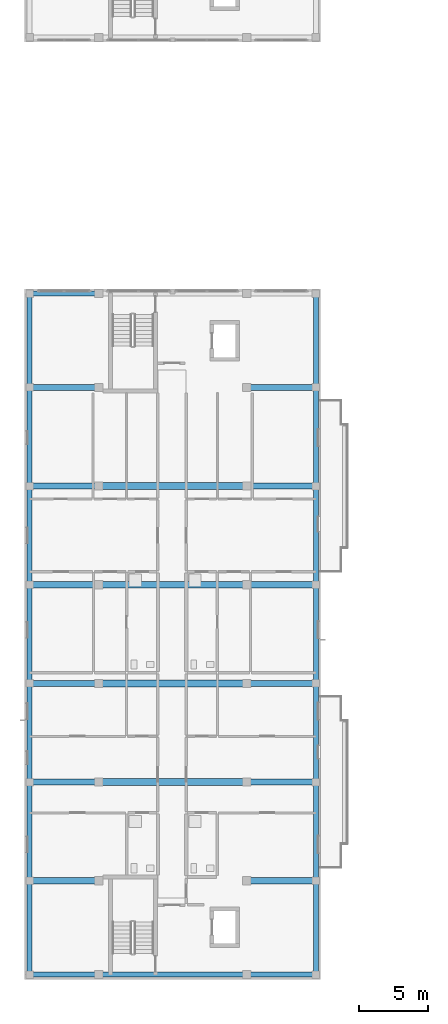
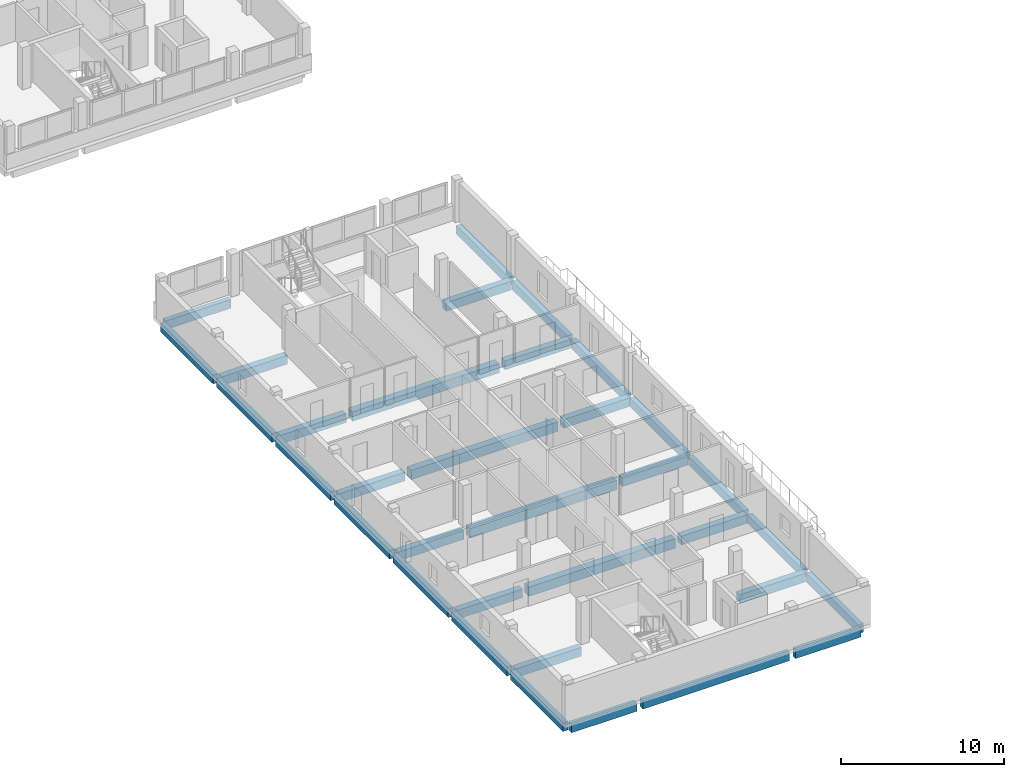
# One storey, part 3 of 41: 34 beams.
"""IFC4 building model written with IfcOpenShell, lengths in metres."""

from ifc_helpers import new_model, si_unit, derived_unit, direction, frame, origin, origin_2d, place, context, subcontext, project, spatial, rectangle, extrude, material, material_profile, profile_set, type_object, element, save


model = new_model("IFC4")

# Units and contexts
model_context = context("Model", 3, precision=1e-05, world=origin(), true_north=direction((0.0, 1.0)))
body_context = subcontext(model_context, "Body", "Model", "MODEL_VIEW")
ifc_project = project(units=[si_unit("LENGTHUNIT", "METRE"), si_unit("AREAUNIT", "SQUARE_METRE"), si_unit("VOLUMEUNIT", "CUBIC_METRE"), si_unit("PLANEANGLEUNIT", "RADIAN"), si_unit("MASSUNIT", "GRAM", prefix="KILO"), derived_unit("THERMALTRANSMITTANCEUNIT", [(si_unit("MASSUNIT", "GRAM", prefix="KILO"), 1), (si_unit("TIMEUNIT", "SECOND"), -3), (si_unit("THERMODYNAMICTEMPERATUREUNIT", "KELVIN"), -1)])], contexts=[model_context])

# Site, building, storey
site_placement = place(None, origin())
site = spatial("IfcSite", under=ifc_project, at=site_placement, CompositionType="ELEMENT")
building_placement = place(site_placement, origin())
building = spatial("IfcBuilding", under=site, at=building_placement, Name="Ochrekiln Boulevard Commons", CompositionType="ELEMENT")
storey_placement = place(building_placement, frame((0.0, 0.0, 21.52490234375)))
storey = spatial("IfcBuildingStorey", under=building, at=storey_placement, Name="L06", CompositionType="ELEMENT", Elevation=21.52490234375)

# Beams
ifc_material_1 = material(Name="Concrete C35/45", Category="concrete")
ifc_material_profile_1 = material_profile(ifc_material_1, rectangle(XDim=0.449951171875, YDim=0.64990234375, at=origin_2d()), Name="RC-BM-450x650")
ifc_profile_set_1 = profile_set([ifc_material_profile_1], Name="Concrete C35/45")
beam_type_1 = type_object("IfcBeamType", Name="BM-RC-450x650", PredefinedType="BEAM", material=ifc_profile_set_1)
beam_1_placement = place(storey_placement, frame((0.56005859375, 7.199951171875, -0.5849609375), z_axis=(1.0, 0.0, 0.0), x_axis=(0.0, 1.0, 0.0)))
element("IfcBeam", 1, at=beam_1_placement, inside=storey, type_object=beam_type_1, Name="Block D L06 Beam B-4565 X4", PredefinedType="BEAM", context=body_context, shape_type="SweptSolid", body=[
    extrude(rectangle(XDim=0.449951171875, YDim=0.64990234375, at=origin_2d()), origin(), (0.0, 0.0, 1.0), 4.6298828125),
])
beam_2_placement = place(storey_placement, frame((16.409912109375, 7.199951171875, -0.5849609375), z_axis=(1.0, 0.0, 0.0), x_axis=(0.0, 1.0, 0.0)))
element("IfcBeam", 2, at=beam_2_placement, inside=storey, type_object=beam_type_1, Name="Block D L06 Beam B-4565 X5", PredefinedType="BEAM", context=body_context, shape_type="SweptSolid", body=[
    extrude(rectangle(XDim=0.449951171875, YDim=0.64990234375, at=origin_2d()), origin(), (0.0, 0.0, 1.0), 4.630126953125),
])
beam_3_placement = place(storey_placement, frame((0.56005859375, 14.39990234375, -0.5849609375), z_axis=(1.0, 0.0, 0.0), x_axis=(0.0, 1.0, 0.0)))
element("IfcBeam", 3, at=beam_3_placement, inside=storey, type_object=beam_type_1, Name="Block D L06 Beam B-4565 X6", PredefinedType="BEAM", context=body_context, shape_type="SweptSolid", body=[
    extrude(rectangle(XDim=0.449951171875, YDim=0.64990234375, at=origin_2d()), origin(), (0.0, 0.0, 1.0), 4.6298828125),
])
beam_4_placement = place(storey_placement, frame((16.409912109375, 14.39990234375, -0.5849609375), z_axis=(1.0, 0.0, 0.0), x_axis=(0.0, 1.0, 0.0)))
element("IfcBeam", 4, at=beam_4_placement, inside=storey, type_object=beam_type_1, Name="Block D L06 Beam B-4565 X8", PredefinedType="BEAM", context=body_context, shape_type="SweptSolid", body=[
    extrude(rectangle(XDim=0.449951171875, YDim=0.64990234375, at=origin_2d()), origin(), (0.0, 0.0, 1.0), 4.630126953125),
])
beam_5_placement = place(storey_placement, frame((0.56005859375, 21.60009765625, -0.5849609375), z_axis=(1.0, 0.0, 0.0), x_axis=(0.0, 1.0, 0.0)))
element("IfcBeam", 5, at=beam_5_placement, inside=storey, type_object=beam_type_1, Name="Block D L06 Beam B-4565 X9", PredefinedType="BEAM", context=body_context, shape_type="SweptSolid", body=[
    extrude(rectangle(XDim=0.449951171875, YDim=0.64990234375, at=origin_2d()), origin(), (0.0, 0.0, 1.0), 4.6298828125),
])
beam_6_placement = place(storey_placement, frame((16.409912109375, 21.60009765625, -0.5849609375), z_axis=(1.0, 0.0, 0.0), x_axis=(0.0, 1.0, 0.0)))
element("IfcBeam", 6, at=beam_6_placement, inside=storey, type_object=beam_type_1, Name="Block D L06 Beam B-4565 X11", PredefinedType="BEAM", context=body_context, shape_type="SweptSolid", body=[
    extrude(rectangle(XDim=0.449951171875, YDim=0.64990234375, at=origin_2d()), origin(), (0.0, 0.0, 1.0), 4.630126953125),
])
beam_7_placement = place(storey_placement, frame((0.56005859375, 28.800048828125, -0.5849609375), z_axis=(1.0, 0.0, 0.0), x_axis=(0.0, 1.0, 0.0)))
element("IfcBeam", 7, at=beam_7_placement, inside=storey, type_object=beam_type_1, Name="Block D L06 Beam B-4565 X12", PredefinedType="BEAM", context=body_context, shape_type="SweptSolid", body=[
    extrude(rectangle(XDim=0.449951171875, YDim=0.64990234375, at=origin_2d()), origin(), (0.0, 0.0, 1.0), 4.6298828125),
])
beam_8_placement = place(storey_placement, frame((16.409912109375, 28.800048828125, -0.5849609375), z_axis=(1.0, 0.0, 0.0), x_axis=(0.0, 1.0, 0.0)))
element("IfcBeam", 8, at=beam_8_placement, inside=storey, type_object=beam_type_1, Name="Block D L06 Beam B-4565 X14", PredefinedType="BEAM", context=body_context, shape_type="SweptSolid", body=[
    extrude(rectangle(XDim=0.449951171875, YDim=0.64990234375, at=origin_2d()), origin(), (0.0, 0.0, 1.0), 4.630126953125),
])
beam_9_placement = place(storey_placement, frame((0.56005859375, 36.0, -0.5849609375), z_axis=(1.0, 0.0, 0.0), x_axis=(0.0, 1.0, 0.0)))
element("IfcBeam", 9, at=beam_9_placement, inside=storey, type_object=beam_type_1, Name="Block D L06 Beam B-4565 X15", PredefinedType="BEAM", context=body_context, shape_type="SweptSolid", body=[
    extrude(rectangle(XDim=0.449951171875, YDim=0.64990234375, at=origin_2d()), origin(), (0.0, 0.0, 1.0), 4.6298828125),
])
beam_10_placement = place(storey_placement, frame((16.409912109375, 36.0, -0.5849609375), z_axis=(1.0, 0.0, 0.0), x_axis=(0.0, 1.0, 0.0)))
element("IfcBeam", 10, at=beam_10_placement, inside=storey, type_object=beam_type_1, Name="Block D L06 Beam B-4565 X17", PredefinedType="BEAM", context=body_context, shape_type="SweptSolid", body=[
    extrude(rectangle(XDim=0.449951171875, YDim=0.64990234375, at=origin_2d()), origin(), (0.0, 0.0, 1.0), 4.630126953125),
])
beam_11_placement = place(storey_placement, frame((0.56005859375, 43.199951171875, -0.5849609375), z_axis=(1.0, 0.0, 0.0), x_axis=(0.0, 1.0, 0.0)))
element("IfcBeam", 11, at=beam_11_placement, inside=storey, type_object=beam_type_1, Name="Block D L06 Beam B-4565 X18", PredefinedType="BEAM", context=body_context, shape_type="SweptSolid", body=[
    extrude(rectangle(XDim=0.449951171875, YDim=0.64990234375, at=origin_2d()), origin(), (0.0, 0.0, 1.0), 4.6298828125),
])
beam_12_placement = place(storey_placement, frame((16.409912109375, 43.199951171875, -0.5849609375), z_axis=(1.0, 0.0, 0.0), x_axis=(0.0, 1.0, 0.0)))
element("IfcBeam", 12, at=beam_12_placement, inside=storey, type_object=beam_type_1, Name="Block D L06 Beam B-4565 X19", PredefinedType="BEAM", context=body_context, shape_type="SweptSolid", body=[
    extrude(rectangle(XDim=0.449951171875, YDim=0.64990234375, at=origin_2d()), origin(), (0.0, 0.0, 1.0), 4.630126953125),
])
ifc_material_2 = material(Name="Concrete C40/50", Category="concrete")
ifc_material_profile_2 = material_profile(ifc_material_2, rectangle(XDim=0.5, YDim=0.699951171875, at=origin_2d()), Name="RC-BM-500x700")
ifc_profile_set_2 = profile_set([ifc_material_profile_2], Name="Concrete C40/50")
beam_type_2 = type_object("IfcBeamType", Name="BM-RC-500x700", PredefinedType="BEAM", material=ifc_profile_set_2)
for number, where, z_axis, x_axis, name in (
    (13, (5.610107421875, 14.39990234375, -0.60986328125), (1.0, 0.0, 0.0), (0.0, 1.0, 0.0), "Block D L06 Beam B-5070 X7"),
    (14, (5.610107421875, 21.60009765625, -0.60986328125), (1.0, 0.0, 0.0), (0.0, 1.0, 0.0), "Block D L06 Beam B-5070 X10"),
    (15, (5.610107421875, 28.800048828125, -0.60986328125), (1.0, 0.0, 0.0), (0.0, 1.0, 0.0), "Block D L06 Beam B-5070 X13"),
    (16, (5.610107421875, 36.0, -0.60986328125), (1.0, 0.0, 0.0), (0.0, 1.0, 0.0), "Block D L06 Beam B-5070 X16"),
):
    element("IfcBeam", number, at=place(storey_placement, frame(where, z_axis=z_axis, x_axis=x_axis)), inside=storey, type_object=beam_type_2, Name=name, PredefinedType="BEAM", context=body_context, shape_type="SweptSolid", body=[
        extrude(rectangle(XDim=0.5, YDim=0.699951171875, at=origin_2d()), origin(), (0.0, 0.0, 1.0), 10.3798828125),
    ])
ifc_material_profile_3 = material_profile(ifc_material_2, rectangle(XDim=0.35009765625, YDim=0.64990234375, at=origin_2d()), Name="RC-SPN-350x650")
ifc_profile_set_3 = profile_set([ifc_material_profile_3], Name="Concrete C40/50")
beam_type_3 = type_object("IfcBeamType", Name="SPN-RC-350x650", PredefinedType="SPANDREL", material=ifc_profile_set_3)
beam_13_placement = place(storey_placement, frame((0.56005859375, 0.35009765625, -0.5849609375), z_axis=(1.0, 0.0, 0.0), x_axis=(0.0, 1.0, 0.0)))
element("IfcBeam", 17, at=beam_13_placement, inside=storey, type_object=beam_type_3, Name="Block D L06 Beam SP-3565 X1", PredefinedType="SPANDREL", context=body_context, shape_type="SweptSolid", body=[
    extrude(rectangle(XDim=0.35009765625, YDim=0.64990234375, at=origin_2d()), origin(), (0.0, 0.0, 1.0), 4.6298828125),
])
beam_14_placement = place(storey_placement, frame((5.610107421875, 0.35009765625, -0.5849609375), z_axis=(1.0, 0.0, 0.0), x_axis=(0.0, 1.0, 0.0)))
element("IfcBeam", 18, at=beam_14_placement, inside=storey, type_object=beam_type_3, Name="Block D L06 Beam SP-3565 X2", PredefinedType="SPANDREL", context=body_context, shape_type="SweptSolid", body=[
    extrude(rectangle(XDim=0.35009765625, YDim=0.64990234375, at=origin_2d()), origin(), (0.0, 0.0, 1.0), 10.3798828125),
])
beam_15_placement = place(storey_placement, frame((16.409912109375, 0.35009765625, -0.5849609375), z_axis=(1.0, 0.0, 0.0), x_axis=(0.0, 1.0, 0.0)))
element("IfcBeam", 19, at=beam_15_placement, inside=storey, type_object=beam_type_3, Name="Block D L06 Beam SP-3565 X3", PredefinedType="SPANDREL", context=body_context, shape_type="SweptSolid", body=[
    extrude(rectangle(XDim=0.35009765625, YDim=0.64990234375, at=origin_2d()), origin(), (0.0, 0.0, 1.0), 4.630126953125),
])
beam_16_placement = place(storey_placement, frame((0.56005859375, 50.050048828125, -0.5849609375), z_axis=(1.0, 0.0, 0.0), x_axis=(0.0, 1.0, 0.0)))
element("IfcBeam", 20, at=beam_16_placement, inside=storey, type_object=beam_type_3, Name="Block D L06 Beam SP-3565 X20", PredefinedType="SPANDREL", context=body_context, shape_type="SweptSolid", body=[
    extrude(rectangle(XDim=0.35009765625, YDim=0.64990234375, at=origin_2d()), origin(), (0.0, 0.0, 1.0), 4.6298828125),
])
beam_17_placement = place(storey_placement, frame((0.35009765625, 0.56005859375, -0.5849609375), z_axis=(0.0, 1.0, 0.0), x_axis=(-1.0, 0.0, 0.0)))
element("IfcBeam", 21, at=beam_17_placement, inside=storey, type_object=beam_type_3, Name="Block D L06 Beam SP-3565 Y23", PredefinedType="SPANDREL", context=body_context, shape_type="SweptSolid", body=[
    extrude(rectangle(XDim=0.35009765625, YDim=0.64990234375, at=origin_2d()), origin(), (0.0, 0.0, 1.0), 6.429931640625),
])
beam_18_placement = place(storey_placement, frame((0.35009765625, 7.409912109375, -0.5849609375), z_axis=(0.0, 1.0, 0.0), x_axis=(-1.0, 0.0, 0.0)))
element("IfcBeam", 22, at=beam_18_placement, inside=storey, type_object=beam_type_3, Name="Block D L06 Beam SP-3565 Y24", PredefinedType="SPANDREL", context=body_context, shape_type="SweptSolid", body=[
    extrude(rectangle(XDim=0.35009765625, YDim=0.64990234375, at=origin_2d()), origin(), (0.0, 0.0, 1.0), 6.780029296875),
])
beam_19_placement = place(storey_placement, frame((0.35009765625, 14.610107421875, -0.5849609375), z_axis=(0.0, 1.0, 0.0), x_axis=(-1.0, 0.0, 0.0)))
element("IfcBeam", 23, at=beam_19_placement, inside=storey, type_object=beam_type_3, Name="Block D L06 Beam SP-3565 Y25", PredefinedType="SPANDREL", context=body_context, shape_type="SweptSolid", body=[
    extrude(rectangle(XDim=0.35009765625, YDim=0.64990234375, at=origin_2d()), origin(), (0.0, 0.0, 1.0), 6.77978515625),
])
for number, where, z_axis, x_axis, name in (
    (24, (0.35009765625, 21.81005859375, -0.5849609375), (0.0, 1.0, 0.0), (-1.0, 0.0, 0.0), "Block D L06 Beam SP-3565 Y26"),
    (25, (0.35009765625, 29.010009765625, -0.5849609375), (0.0, 1.0, 0.0), (-1.0, 0.0, 0.0), "Block D L06 Beam SP-3565 Y27"),
    (26, (0.35009765625, 36.2099609375, -0.5849609375), (0.0, 1.0, 0.0), (-1.0, 0.0, 0.0), "Block D L06 Beam SP-3565 Y28"),
):
    element("IfcBeam", number, at=place(storey_placement, frame(where, z_axis=z_axis, x_axis=x_axis)), inside=storey, type_object=beam_type_3, Name=name, PredefinedType="SPANDREL", context=body_context, shape_type="SweptSolid", body=[
        extrude(rectangle(XDim=0.35009765625, YDim=0.64990234375, at=origin_2d()), origin(), (0.0, 0.0, 1.0), 6.780029296875),
    ])
beam_20_placement = place(storey_placement, frame((0.35009765625, 43.409912109375, -0.5849609375), z_axis=(0.0, 1.0, 0.0), x_axis=(-1.0, 0.0, 0.0)))
element("IfcBeam", 27, at=beam_20_placement, inside=storey, type_object=beam_type_3, Name="Block D L06 Beam SP-3565 Y29", PredefinedType="SPANDREL", context=body_context, shape_type="SweptSolid", body=[
    extrude(rectangle(XDim=0.35009765625, YDim=0.64990234375, at=origin_2d()), origin(), (0.0, 0.0, 1.0), 6.43017578125),
])
beam_21_placement = place(storey_placement, frame((21.25, 0.56005859375, -0.5849609375), z_axis=(0.0, 1.0, 0.0), x_axis=(-1.0, 0.0, 0.0)))
element("IfcBeam", 28, at=beam_21_placement, inside=storey, type_object=beam_type_3, Name="Block D L06 Beam SP-3565 Y30", PredefinedType="SPANDREL", context=body_context, shape_type="SweptSolid", body=[
    extrude(rectangle(XDim=0.35009765625, YDim=0.64990234375, at=origin_2d()), origin(), (0.0, 0.0, 1.0), 6.429931640625),
])
beam_22_placement = place(storey_placement, frame((21.25, 7.409912109375, -0.5849609375), z_axis=(0.0, 1.0, 0.0), x_axis=(-1.0, 0.0, 0.0)))
element("IfcBeam", 29, at=beam_22_placement, inside=storey, type_object=beam_type_3, Name="Block D L06 Beam SP-3565 Y31", PredefinedType="SPANDREL", context=body_context, shape_type="SweptSolid", body=[
    extrude(rectangle(XDim=0.35009765625, YDim=0.64990234375, at=origin_2d()), origin(), (0.0, 0.0, 1.0), 6.780029296875),
])
beam_23_placement = place(storey_placement, frame((21.25, 14.610107421875, -0.5849609375), z_axis=(0.0, 1.0, 0.0), x_axis=(-1.0, 0.0, 0.0)))
element("IfcBeam", 30, at=beam_23_placement, inside=storey, type_object=beam_type_3, Name="Block D L06 Beam SP-3565 Y32", PredefinedType="SPANDREL", context=body_context, shape_type="SweptSolid", body=[
    extrude(rectangle(XDim=0.35009765625, YDim=0.64990234375, at=origin_2d()), origin(), (0.0, 0.0, 1.0), 6.77978515625),
])
for number, where, z_axis, x_axis, name in (
    (31, (21.25, 21.81005859375, -0.5849609375), (0.0, 1.0, 0.0), (-1.0, 0.0, 0.0), "Block D L06 Beam SP-3565 Y33"),
    (32, (21.25, 29.010009765625, -0.5849609375), (0.0, 1.0, 0.0), (-1.0, 0.0, 0.0), "Block D L06 Beam SP-3565 Y34"),
    (33, (21.25, 36.2099609375, -0.5849609375), (0.0, 1.0, 0.0), (-1.0, 0.0, 0.0), "Block D L06 Beam SP-3565 Y35"),
):
    element("IfcBeam", number, at=place(storey_placement, frame(where, z_axis=z_axis, x_axis=x_axis)), inside=storey, type_object=beam_type_3, Name=name, PredefinedType="SPANDREL", context=body_context, shape_type="SweptSolid", body=[
        extrude(rectangle(XDim=0.35009765625, YDim=0.64990234375, at=origin_2d()), origin(), (0.0, 0.0, 1.0), 6.780029296875),
    ])
beam_24_placement = place(storey_placement, frame((21.25, 43.409912109375, -0.5849609375), z_axis=(0.0, 1.0, 0.0), x_axis=(-1.0, 0.0, 0.0)))
element("IfcBeam", 34, at=beam_24_placement, inside=storey, type_object=beam_type_3, Name="Block D L06 Beam SP-3565 Y36", PredefinedType="SPANDREL", context=body_context, shape_type="SweptSolid", body=[
    extrude(rectangle(XDim=0.35009765625, YDim=0.64990234375, at=origin_2d()), origin(), (0.0, 0.0, 1.0), 6.43017578125),
])

save(model, "model.ifc")
